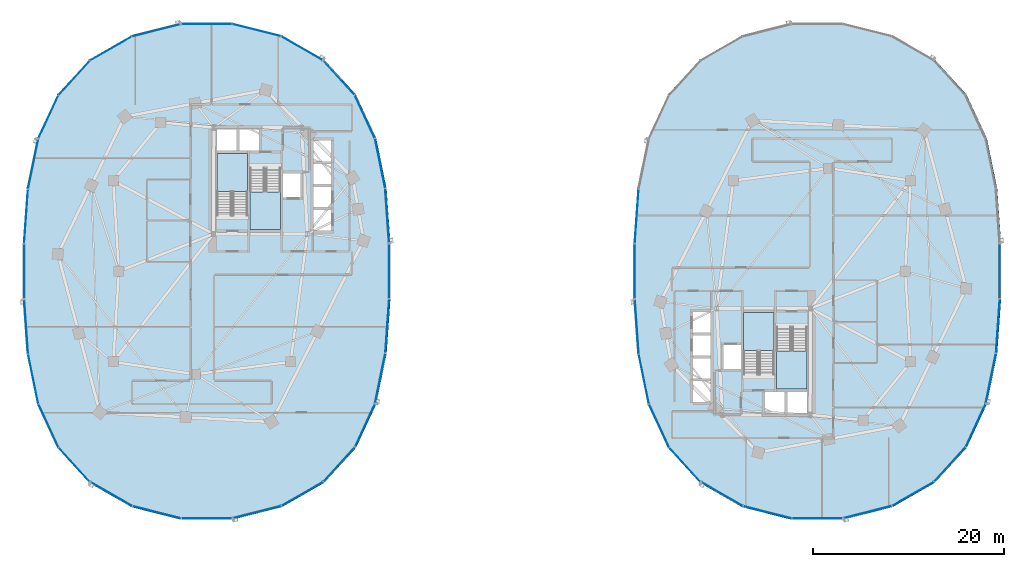
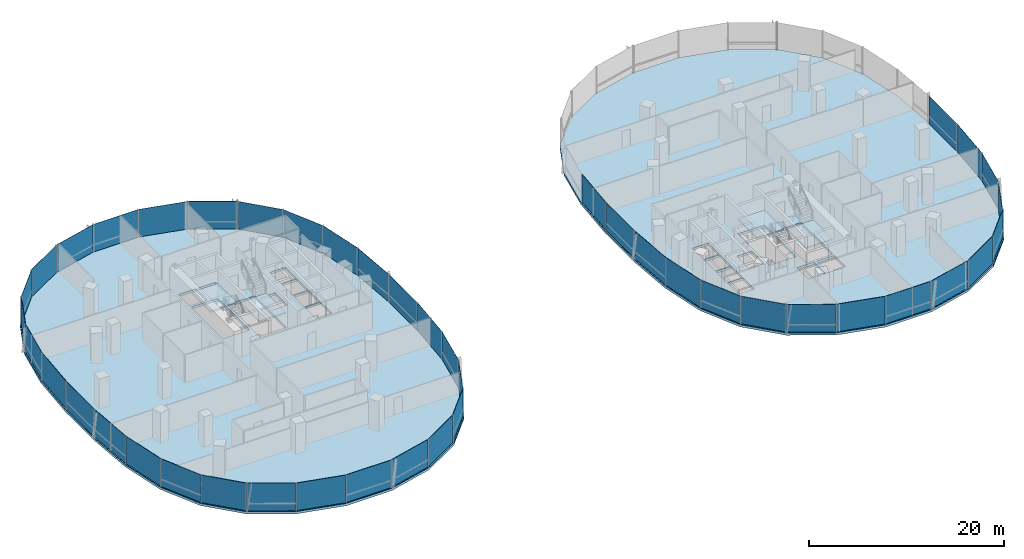
# One storey, part 9 of 21: 44 plates, 6 slabs, 11 elements without a shape of their own.
"""IFC4 building model written with IfcOpenShell, lengths in metres."""

from ifc_helpers import new_model, si_unit, direction, frame, origin, origin_2d, place, context, subcontext, project, spatial, polyline, rectangle, outline, extrude, material, layer, layer_set, type_object, element, aggregate, save


model = new_model("IFC4")

# Units and contexts
model_context = context("Model", 3, precision=1e-05, world=origin(), true_north=direction((0.0, 1.0)))
body_context = subcontext(model_context, "Body", "Model", "MODEL_VIEW")
ifc_project = project(units=[si_unit("LENGTHUNIT", "METRE"), si_unit("AREAUNIT", "SQUARE_METRE"), si_unit("VOLUMEUNIT", "CUBIC_METRE"), si_unit("PLANEANGLEUNIT", "RADIAN"), si_unit("MASSUNIT", "GRAM", prefix="KILO"), si_unit("THERMODYNAMICTEMPERATUREUNIT", "KELVIN"), si_unit("POWERUNIT", "WATT")], contexts=[model_context])

# Site, building, storey
site_placement = place(None, origin())
site = spatial("IfcSite", under=ifc_project, at=site_placement, CompositionType="ELEMENT")
building_placement = place(site_placement, origin())
building = spatial("IfcBuilding", under=site, at=building_placement, Name="Cundina Bronze Exchange", CompositionType="ELEMENT")
storey_placement = place(building_placement, frame((0.0, 0.0, 62.0)))
storey = spatial("IfcBuildingStorey", under=building, at=storey_placement, Name="L15", CompositionType="ELEMENT", Elevation=62.0)

# Curtain wall, plates
ifc_material_1 = material(Name="Anodised Bronze Aluminium 6063-T6", Category="aluminium")
curtain_wall_type = type_object("IfcCurtainWallType", Name="CWS-TRD-LOW", PredefinedType="NOTDEFINED", material=ifc_material_1)
curtain_wall_1_placement = place(storey_placement, origin())
curtain_wall_1 = element("IfcCurtainWall", 1, at=curtain_wall_1_placement, inside=storey, type_object=curtain_wall_type, Name="L15 CW-02 Curtain Wall Run CWR-L15-W1", PredefinedType="NOTDEFINED")
ifc_material_2 = material(Name="Heat-Strengthened Solar-Control Bronze Safety Glass 28mm", Category="glass")
ifc_layer_1 = layer(ifc_material_2, 0.028076171875, Name="Heat-Strengthened Solar-Control Bronze Safety Glass 28mm", Category="glass")
ifc_layer_set_1 = layer_set([ifc_layer_1], Name="Heat-Strengthened Solar-Control Bronze Safety Glass 28mm")
plate_type_1 = type_object("IfcPlateType", Name="PLT-GLZ-VIS28", PredefinedType="CURTAIN_PANEL", material=ifc_layer_set_1)
plate_1_placement = place(storey_placement, frame((-13.0732421875, 5.783935546875, 0.02001953125), z_axis=(0.0, 0.0, 1.0), x_axis=(-0.070278787473, 0.997527389113, 0.0)))
plate_1 = element("IfcPlate", 2, at=plate_1_placement, type_object=plate_type_1, Name="CW-02 Glazed Panel 1", PredefinedType="CURTAIN_PANEL", context=body_context, shape_type="SweptSolid", body=[
    extrude(rectangle(XDim=5.644287109375, YDim=0.028076171875, at=origin_2d()), origin(), (0.0, 0.0, 1.0), 3.4599609375),
])
plate_2_placement = place(storey_placement, frame((-13.81591796875, 11.269775390625, 0.02001953125), z_axis=(0.0, 0.0, 1.0), x_axis=(-0.201419845156, 0.979505000486, 0.0)))
plate_2 = element("IfcPlate", 3, at=plate_2_placement, type_object=plate_type_1, Name="CW-02 Glazed Panel 2", PredefinedType="CURTAIN_PANEL", context=body_context, shape_type="SweptSolid", body=[
    extrude(rectangle(XDim=5.306640625, YDim=0.028076171875, at=origin_2d()), origin(), (0.0, 0.0, 1.0), 3.4599609375),
])
plate_3_placement = place(storey_placement, frame((-15.413818359375, 16.177734375, 0.02001953125), z_axis=(0.0, 0.0, 1.0), x_axis=(-0.42084583328, 0.907132175932, 0.0)))
plate_3 = element("IfcPlate", 4, at=plate_3_placement, type_object=plate_type_1, Name="CW-02 Glazed Panel 3", PredefinedType="CURTAIN_PANEL", context=body_context, shape_type="SweptSolid", body=[
    extrude(rectangle(XDim=4.966552734375, YDim=0.028076171875, at=origin_2d()), origin(), (0.0, 0.0, 1.0), 3.4599609375),
])
plate_4_placement = place(storey_placement, frame((-18.1259765625, 20.267333984375, 0.02001953125), z_axis=(0.0, 0.0, 1.0), x_axis=(-0.674276610219, 0.73847887777, 0.0)))
plate_4 = element("IfcPlate", 5, at=plate_4_placement, type_object=plate_type_1, Name="CW-02 Glazed Panel 4", PredefinedType="CURTAIN_PANEL", context=body_context, shape_type="SweptSolid", body=[
    extrude(rectangle(XDim=4.86328125, YDim=0.028076171875, at=origin_2d()), origin(), (0.0, 0.0, 1.0), 3.4599609375),
])
plate_5_placement = place(storey_placement, frame((-26.744384765625, 25.256591796875, 0.02001953125), z_axis=(0.0, 0.0, 1.0), x_axis=(-0.969488149345, 0.245138182011, 0.0)))
plate_5 = element("IfcPlate", 6, at=plate_5_placement, type_object=plate_type_1, Name="CW-02 Glazed Panel 6", PredefinedType="CURTAIN_PANEL", context=body_context, shape_type="SweptSolid", body=[
    extrude(rectangle(XDim=5.2333984375, YDim=0.028076171875, at=origin_2d()), origin(), (0.0, 0.0, 1.0), 3.4599609375),
])
plate_6_placement = place(storey_placement, frame((-32.0, 25.905029296875, 0.02001953125), z_axis=(0.0, 0.0, 1.0), x_axis=(-1.0, 0.0, 0.0)))
plate_6 = element("IfcPlate", 7, at=plate_6_placement, type_object=plate_type_1, Name="CW-02 Glazed Panel 7", PredefinedType="CURTAIN_PANEL", context=body_context, shape_type="SweptSolid", body=[
    extrude(rectangle(XDim=5.323974609375, YDim=0.028076171875, at=origin_2d()), origin(), (0.0, 0.0, 1.0), 3.4599609375),
])

curtain_wall_2_placement = place(storey_placement, origin())
curtain_wall_2 = element("IfcCurtainWall", 8, at=curtain_wall_2_placement, inside=storey, type_object=curtain_wall_type, Name="L15 CW-02 Curtain Wall Run CWR-L15-W2", PredefinedType="NOTDEFINED")
plate_7_placement = place(storey_placement, frame((-37.255615234375, 25.256591796875, 0.02001953125), z_axis=(0.0, 0.0, 1.0), x_axis=(-0.969488149345, -0.245138182011, 0.0)))
plate_7 = element("IfcPlate", 9, at=plate_7_placement, type_object=plate_type_1, Name="CW-02 Glazed Panel 1", PredefinedType="CURTAIN_PANEL", context=body_context, shape_type="SweptSolid", body=[
    extrude(rectangle(XDim=5.2333984375, YDim=0.028076171875, at=origin_2d()), origin(), (0.0, 0.0, 1.0), 3.4599609375),
])
plate_8_placement = place(storey_placement, frame((-42.019287109375, 23.34423828125, 0.02001953125), z_axis=(0.0, 0.0, 1.0), x_axis=(-0.867105478933, -0.498124571171, 0.0)))
plate_8 = element("IfcPlate", 10, at=plate_8_placement, type_object=plate_type_1, Name="CW-02 Glazed Panel 2", PredefinedType="CURTAIN_PANEL", context=body_context, shape_type="SweptSolid", body=[
    extrude(rectangle(XDim=5.021240234375, YDim=0.028076171875, at=origin_2d()), origin(), (0.0, 0.0, 1.0), 3.4599609375),
])
plate_9_placement = place(storey_placement, frame((-45.8740234375, 20.267333984375, 0.02001953125), z_axis=(0.0, 0.0, 1.0), x_axis=(-0.674276610219, -0.73847887777, 0.0)))
plate_9 = element("IfcPlate", 11, at=plate_9_placement, type_object=plate_type_1, Name="CW-02 Glazed Panel 3", PredefinedType="CURTAIN_PANEL", context=body_context, shape_type="SweptSolid", body=[
    extrude(rectangle(XDim=4.86328125, YDim=0.028076171875, at=origin_2d()), origin(), (0.0, 0.0, 1.0), 3.4599609375),
])
plate_10_placement = place(storey_placement, frame((-50.18408203125, 11.269775390625, 0.02001953125), z_axis=(0.0, 0.0, 1.0), x_axis=(-0.201419845156, -0.979505000486, 0.0)))
plate_10 = element("IfcPlate", 12, at=plate_10_placement, type_object=plate_type_1, Name="CW-02 Glazed Panel 5", PredefinedType="CURTAIN_PANEL", context=body_context, shape_type="SweptSolid", body=[
    extrude(rectangle(XDim=5.306640625, YDim=0.028076171875, at=origin_2d()), origin(), (0.0, 0.0, 1.0), 3.4599609375),
])
plate_11_placement = place(storey_placement, frame((-50.9267578125, 5.783935546875, 0.02001953125), z_axis=(0.0, 0.0, 1.0), x_axis=(-0.070278787473, -0.997527389113, 0.0)))
plate_11 = element("IfcPlate", 13, at=plate_11_placement, type_object=plate_type_1, Name="CW-02 Glazed Panel 6", PredefinedType="CURTAIN_PANEL", context=body_context, shape_type="SweptSolid", body=[
    extrude(rectangle(XDim=5.644287109375, YDim=0.028076171875, at=origin_2d()), origin(), (0.0, 0.0, 1.0), 3.4599609375),
])
plate_12_placement = place(storey_placement, frame((-51.1279296875, 0.0, 0.02001953125), z_axis=(0.0, 0.0, 1.0), x_axis=(0.0, -1.0, 0.0)))
plate_12 = element("IfcPlate", 14, at=plate_12_placement, type_object=plate_type_1, Name="CW-02 Glazed Panel 7", PredefinedType="CURTAIN_PANEL", context=body_context, shape_type="SweptSolid", body=[
    extrude(rectangle(XDim=5.77587890625, YDim=0.028076171875, at=origin_2d()), origin(), (0.0, 0.0, 1.0), 3.4599609375),
])

curtain_wall_3_placement = place(storey_placement, origin())
curtain_wall_3 = element("IfcCurtainWall", 15, at=curtain_wall_3_placement, inside=storey, type_object=curtain_wall_type, Name="L15 CW-02 Curtain Wall Run CWR-L15-W3", PredefinedType="NOTDEFINED")
plate_13_placement = place(storey_placement, frame((-50.9267578125, -5.783935546875, 0.02001953125), z_axis=(0.0, 0.0, 1.0), x_axis=(0.070278787473, -0.997527389113, 0.0)))
plate_13 = element("IfcPlate", 16, at=plate_13_placement, type_object=plate_type_1, Name="CW-02 Glazed Panel 1", PredefinedType="CURTAIN_PANEL", context=body_context, shape_type="SweptSolid", body=[
    extrude(rectangle(XDim=5.644287109375, YDim=0.028076171875, at=origin_2d()), origin(), (0.0, 0.0, 1.0), 3.4599609375),
])
plate_14_placement = place(storey_placement, frame((-50.18408203125, -11.269775390625, 0.02001953125), z_axis=(0.0, 0.0, 1.0), x_axis=(0.201419845156, -0.979505000486, 0.0)))
plate_14 = element("IfcPlate", 17, at=plate_14_placement, type_object=plate_type_1, Name="CW-02 Glazed Panel 2", PredefinedType="CURTAIN_PANEL", context=body_context, shape_type="SweptSolid", body=[
    extrude(rectangle(XDim=5.306640625, YDim=0.028076171875, at=origin_2d()), origin(), (0.0, 0.0, 1.0), 3.4599609375),
])
plate_15_placement = place(storey_placement, frame((-45.8740234375, -20.267333984375, 0.02001953125), z_axis=(0.0, 0.0, 1.0), x_axis=(0.674276610219, -0.73847887777, 0.0)))
plate_15 = element("IfcPlate", 18, at=plate_15_placement, type_object=plate_type_1, Name="CW-02 Glazed Panel 4", PredefinedType="CURTAIN_PANEL", context=body_context, shape_type="SweptSolid", body=[
    extrude(rectangle(XDim=4.86328125, YDim=0.028076171875, at=origin_2d()), origin(), (0.0, 0.0, 1.0), 3.4599609375),
])
plate_16_placement = place(storey_placement, frame((-42.019287109375, -23.34423828125, 0.02001953125), z_axis=(0.0, 0.0, 1.0), x_axis=(0.867105478933, -0.498124571171, 0.0)))
plate_16 = element("IfcPlate", 19, at=plate_16_placement, type_object=plate_type_1, Name="CW-02 Glazed Panel 5", PredefinedType="CURTAIN_PANEL", context=body_context, shape_type="SweptSolid", body=[
    extrude(rectangle(XDim=5.021240234375, YDim=0.028076171875, at=origin_2d()), origin(), (0.0, 0.0, 1.0), 3.4599609375),
])
plate_17_placement = place(storey_placement, frame((-37.255615234375, -25.256591796875, 0.02001953125), z_axis=(0.0, 0.0, 1.0), x_axis=(0.969488149345, -0.245138182011, 0.0)))
plate_17 = element("IfcPlate", 20, at=plate_17_placement, type_object=plate_type_1, Name="CW-02 Glazed Panel 6", PredefinedType="CURTAIN_PANEL", context=body_context, shape_type="SweptSolid", body=[
    extrude(rectangle(XDim=5.2333984375, YDim=0.028076171875, at=origin_2d()), origin(), (0.0, 0.0, 1.0), 3.4599609375),
])
plate_18_placement = place(storey_placement, frame((-32.0, -25.905029296875, 0.02001953125), z_axis=(0.0, 0.0, 1.0), x_axis=(1.0, 0.0, 0.0)))
plate_18 = element("IfcPlate", 21, at=plate_18_placement, type_object=plate_type_1, Name="CW-02 Glazed Panel 7", PredefinedType="CURTAIN_PANEL", context=body_context, shape_type="SweptSolid", body=[
    extrude(rectangle(XDim=5.323974609375, YDim=0.028076171875, at=origin_2d()), origin(), (0.0, 0.0, 1.0), 3.4599609375),
])

curtain_wall_4_placement = place(storey_placement, origin())
curtain_wall_4 = element("IfcCurtainWall", 22, at=curtain_wall_4_placement, inside=storey, type_object=curtain_wall_type, Name="L15 CW-02 Curtain Wall Run CWR-L15-W4", PredefinedType="NOTDEFINED")
plate_19_placement = place(storey_placement, frame((-26.744384765625, -25.256591796875, 0.02001953125), z_axis=(0.0, 0.0, 1.0), x_axis=(0.969488149345, 0.245138182011, 0.0)))
plate_19 = element("IfcPlate", 23, at=plate_19_placement, type_object=plate_type_1, Name="CW-02 Glazed Panel 1", PredefinedType="CURTAIN_PANEL", context=body_context, shape_type="SweptSolid", body=[
    extrude(rectangle(XDim=5.2333984375, YDim=0.028076171875, at=origin_2d()), origin(), (0.0, 0.0, 1.0), 3.4599609375),
])
plate_20_placement = place(storey_placement, frame((-18.1259765625, -20.267333984375, 0.02001953125), z_axis=(0.0, 0.0, 1.0), x_axis=(0.674276610219, 0.73847887777, 0.0)))
plate_20 = element("IfcPlate", 24, at=plate_20_placement, type_object=plate_type_1, Name="CW-02 Glazed Panel 3", PredefinedType="CURTAIN_PANEL", context=body_context, shape_type="SweptSolid", body=[
    extrude(rectangle(XDim=4.86328125, YDim=0.028076171875, at=origin_2d()), origin(), (0.0, 0.0, 1.0), 3.4599609375),
])
plate_21_placement = place(storey_placement, frame((-15.413818359375, -16.177734375, 0.02001953125), z_axis=(0.0, 0.0, 1.0), x_axis=(0.42084583328, 0.907132175932, 0.0)))
plate_21 = element("IfcPlate", 25, at=plate_21_placement, type_object=plate_type_1, Name="CW-02 Glazed Panel 4", PredefinedType="CURTAIN_PANEL", context=body_context, shape_type="SweptSolid", body=[
    extrude(rectangle(XDim=4.966552734375, YDim=0.028076171875, at=origin_2d()), origin(), (0.0, 0.0, 1.0), 3.4599609375),
])
plate_22_placement = place(storey_placement, frame((-13.81591796875, -11.269775390625, 0.02001953125), z_axis=(0.0, 0.0, 1.0), x_axis=(0.201419845156, 0.979505000486, 0.0)))
plate_22 = element("IfcPlate", 26, at=plate_22_placement, type_object=plate_type_1, Name="CW-02 Glazed Panel 5", PredefinedType="CURTAIN_PANEL", context=body_context, shape_type="SweptSolid", body=[
    extrude(rectangle(XDim=5.306640625, YDim=0.028076171875, at=origin_2d()), origin(), (0.0, 0.0, 1.0), 3.4599609375),
])
plate_23_placement = place(storey_placement, frame((-13.0732421875, -5.783935546875, 0.02001953125), z_axis=(0.0, 0.0, 1.0), x_axis=(0.070278787473, 0.997527389113, 0.0)))
plate_23 = element("IfcPlate", 27, at=plate_23_placement, type_object=plate_type_1, Name="CW-02 Glazed Panel 6", PredefinedType="CURTAIN_PANEL", context=body_context, shape_type="SweptSolid", body=[
    extrude(rectangle(XDim=5.644287109375, YDim=0.028076171875, at=origin_2d()), origin(), (0.0, 0.0, 1.0), 3.4599609375),
])

curtain_wall_5_placement = place(storey_placement, origin())
curtain_wall_5 = element("IfcCurtainWall", 28, at=curtain_wall_5_placement, inside=storey, type_object=curtain_wall_type, Name="L15 CW-02 Curtain Wall Run CWR-L15-E2", PredefinedType="NOTDEFINED")
plate_24_placement = place(storey_placement, frame((13.0732421875, 5.783935546875, 0.02001953125), z_axis=(0.0, 0.0, 1.0), x_axis=(-0.070278787473, -0.997527389113, 0.0)))
plate_24 = element("IfcPlate", 29, at=plate_24_placement, type_object=plate_type_1, Name="CW-02 Glazed Panel 6", PredefinedType="CURTAIN_PANEL", context=body_context, shape_type="SweptSolid", body=[
    extrude(rectangle(XDim=5.644287109375, YDim=0.028076171875, at=origin_2d()), origin(), (0.0, 0.0, 1.0), 3.4599609375),
])
plate_25_placement = place(storey_placement, frame((12.8720703125, 0.0, 0.02001953125), z_axis=(0.0, 0.0, 1.0), x_axis=(0.0, -1.0, 0.0)))
plate_25 = element("IfcPlate", 30, at=plate_25_placement, type_object=plate_type_1, Name="CW-02 Glazed Panel 7", PredefinedType="CURTAIN_PANEL", context=body_context, shape_type="SweptSolid", body=[
    extrude(rectangle(XDim=5.77587890625, YDim=0.028076171875, at=origin_2d()), origin(), (0.0, 0.0, 1.0), 3.4599609375),
])
aggregate(curtain_wall_5, [plate_24, plate_25])

curtain_wall_6_placement = place(storey_placement, origin())
curtain_wall_6 = element("IfcCurtainWall", 31, at=curtain_wall_6_placement, inside=storey, type_object=curtain_wall_type, Name="L15 CW-02 Curtain Wall Run CWR-L15-E3", PredefinedType="NOTDEFINED")
plate_26_placement = place(storey_placement, frame((13.0732421875, -5.783935546875, 0.02001953125), z_axis=(0.0, 0.0, 1.0), x_axis=(0.070278787473, -0.997527389113, 0.0)))
plate_26 = element("IfcPlate", 32, at=plate_26_placement, type_object=plate_type_1, Name="CW-02 Glazed Panel 1", PredefinedType="CURTAIN_PANEL", context=body_context, shape_type="SweptSolid", body=[
    extrude(rectangle(XDim=5.644287109375, YDim=0.028076171875, at=origin_2d()), origin(), (0.0, 0.0, 1.0), 3.4599609375),
])
plate_27_placement = place(storey_placement, frame((13.81591796875, -11.269775390625, 0.02001953125), z_axis=(0.0, 0.0, 1.0), x_axis=(0.201419845156, -0.979505000486, 0.0)))
plate_27 = element("IfcPlate", 33, at=plate_27_placement, type_object=plate_type_1, Name="CW-02 Glazed Panel 2", PredefinedType="CURTAIN_PANEL", context=body_context, shape_type="SweptSolid", body=[
    extrude(rectangle(XDim=5.306640625, YDim=0.028076171875, at=origin_2d()), origin(), (0.0, 0.0, 1.0), 3.4599609375),
])
plate_28_placement = place(storey_placement, frame((18.1259765625, -20.267333984375, 0.02001953125), z_axis=(0.0, 0.0, 1.0), x_axis=(0.674276610219, -0.73847887777, 0.0)))
plate_28 = element("IfcPlate", 34, at=plate_28_placement, type_object=plate_type_1, Name="CW-02 Glazed Panel 4", PredefinedType="CURTAIN_PANEL", context=body_context, shape_type="SweptSolid", body=[
    extrude(rectangle(XDim=4.86328125, YDim=0.028076171875, at=origin_2d()), origin(), (0.0, 0.0, 1.0), 3.4599609375),
])
plate_29_placement = place(storey_placement, frame((21.980712890625, -23.34423828125, 0.02001953125), z_axis=(0.0, 0.0, 1.0), x_axis=(0.867105478933, -0.498124571171, 0.0)))
plate_29 = element("IfcPlate", 35, at=plate_29_placement, type_object=plate_type_1, Name="CW-02 Glazed Panel 5", PredefinedType="CURTAIN_PANEL", context=body_context, shape_type="SweptSolid", body=[
    extrude(rectangle(XDim=5.021240234375, YDim=0.028076171875, at=origin_2d()), origin(), (0.0, 0.0, 1.0), 3.4599609375),
])
plate_30_placement = place(storey_placement, frame((26.744384765625, -25.256591796875, 0.02001953125), z_axis=(0.0, 0.0, 1.0), x_axis=(0.969488149345, -0.245138182011, 0.0)))
plate_30 = element("IfcPlate", 36, at=plate_30_placement, type_object=plate_type_1, Name="CW-02 Glazed Panel 6", PredefinedType="CURTAIN_PANEL", context=body_context, shape_type="SweptSolid", body=[
    extrude(rectangle(XDim=5.2333984375, YDim=0.028076171875, at=origin_2d()), origin(), (0.0, 0.0, 1.0), 3.4599609375),
])
plate_31_placement = place(storey_placement, frame((32.0, -25.905029296875, 0.02001953125), z_axis=(0.0, 0.0, 1.0), x_axis=(1.0, 0.0, 0.0)))
plate_31 = element("IfcPlate", 37, at=plate_31_placement, type_object=plate_type_1, Name="CW-02 Glazed Panel 7", PredefinedType="CURTAIN_PANEL", context=body_context, shape_type="SweptSolid", body=[
    extrude(rectangle(XDim=5.323974609375, YDim=0.028076171875, at=origin_2d()), origin(), (0.0, 0.0, 1.0), 3.4599609375),
])

curtain_wall_7_placement = place(storey_placement, origin())
curtain_wall_7 = element("IfcCurtainWall", 38, at=curtain_wall_7_placement, inside=storey, type_object=curtain_wall_type, Name="L15 CW-02 Curtain Wall Run CWR-L15-E4", PredefinedType="NOTDEFINED")
plate_32_placement = place(storey_placement, frame((37.255615234375, -25.256591796875, 0.02001953125), z_axis=(0.0, 0.0, 1.0), x_axis=(0.969488149345, 0.245138182011, 0.0)))
plate_32 = element("IfcPlate", 39, at=plate_32_placement, type_object=plate_type_1, Name="CW-02 Glazed Panel 1", PredefinedType="CURTAIN_PANEL", context=body_context, shape_type="SweptSolid", body=[
    extrude(rectangle(XDim=5.2333984375, YDim=0.028076171875, at=origin_2d()), origin(), (0.0, 0.0, 1.0), 3.4599609375),
])
plate_33_placement = place(storey_placement, frame((45.8740234375, -20.267333984375, 0.02001953125), z_axis=(0.0, 0.0, 1.0), x_axis=(0.674276610219, 0.73847887777, 0.0)))
plate_33 = element("IfcPlate", 40, at=plate_33_placement, type_object=plate_type_1, Name="CW-02 Glazed Panel 3", PredefinedType="CURTAIN_PANEL", context=body_context, shape_type="SweptSolid", body=[
    extrude(rectangle(XDim=4.86328125, YDim=0.028076171875, at=origin_2d()), origin(), (0.0, 0.0, 1.0), 3.4599609375),
])
plate_34_placement = place(storey_placement, frame((48.586181640625, -16.177734375, 0.02001953125), z_axis=(0.0, 0.0, 1.0), x_axis=(0.42084583328, 0.907132175932, 0.0)))
plate_34 = element("IfcPlate", 41, at=plate_34_placement, type_object=plate_type_1, Name="CW-02 Glazed Panel 4", PredefinedType="CURTAIN_PANEL", context=body_context, shape_type="SweptSolid", body=[
    extrude(rectangle(XDim=4.966552734375, YDim=0.028076171875, at=origin_2d()), origin(), (0.0, 0.0, 1.0), 3.4599609375),
])
plate_35_placement = place(storey_placement, frame((50.18408203125, -11.269775390625, 0.02001953125), z_axis=(0.0, 0.0, 1.0), x_axis=(0.201419845156, 0.979505000486, 0.0)))
plate_35 = element("IfcPlate", 42, at=plate_35_placement, type_object=plate_type_1, Name="CW-02 Glazed Panel 5", PredefinedType="CURTAIN_PANEL", context=body_context, shape_type="SweptSolid", body=[
    extrude(rectangle(XDim=5.306640625, YDim=0.028076171875, at=origin_2d()), origin(), (0.0, 0.0, 1.0), 3.4599609375),
])
plate_36_placement = place(storey_placement, frame((50.9267578125, -5.783935546875, 0.02001953125), z_axis=(0.0, 0.0, 1.0), x_axis=(0.070278787473, 0.997527389113, 0.0)))
plate_36 = element("IfcPlate", 43, at=plate_36_placement, type_object=plate_type_1, Name="CW-02 Glazed Panel 6", PredefinedType="CURTAIN_PANEL", context=body_context, shape_type="SweptSolid", body=[
    extrude(rectangle(XDim=5.644287109375, YDim=0.028076171875, at=origin_2d()), origin(), (0.0, 0.0, 1.0), 3.4599609375),
])

# Plate
ifc_material_3 = material(Name="Dark Bronze Spandrel Glass Panel 32mm", Category="glass")
ifc_layer_2 = layer(ifc_material_3, 0.031982421875, Name="Dark Bronze Spandrel Glass Panel 32mm", Category="glass")
ifc_layer_set_2 = layer_set([ifc_layer_2], Name="Dark Bronze Spandrel Glass Panel 32mm")
plate_type_2 = type_object("IfcPlateType", Name="PLT-SPN-BRZ32", PredefinedType="CURTAIN_PANEL", material=ifc_layer_set_2)
plate_37_placement = place(storey_placement, frame((-21.980712890625, 23.34423828125, 0.02001953125), z_axis=(0.0, 0.0, 1.0), x_axis=(-0.867105478933, 0.498124571171, 0.0)))
plate_37 = element("IfcPlate", 44, at=plate_37_placement, type_object=plate_type_2, Name="CW-02 Glazed Panel 5", PredefinedType="CURTAIN_PANEL", context=body_context, shape_type="SweptSolid", body=[
    extrude(rectangle(XDim=5.021240234375, YDim=0.031982421875, at=origin_2d()), origin(), (0.0, 0.0, 1.0), 3.4599609375),
])

aggregate(curtain_wall_1, [plate_1, plate_2, plate_3, plate_4, plate_37, plate_5, plate_6])

plate_38_placement = place(storey_placement, frame((-48.586181640625, 16.177734375, 0.02001953125), z_axis=(0.0, 0.0, 1.0), x_axis=(-0.42084583328, -0.907132175932, 0.0)))
plate_38 = element("IfcPlate", 45, at=plate_38_placement, type_object=plate_type_2, Name="CW-02 Glazed Panel 4", PredefinedType="CURTAIN_PANEL", context=body_context, shape_type="SweptSolid", body=[
    extrude(rectangle(XDim=4.966552734375, YDim=0.031982421875, at=origin_2d()), origin(), (0.0, 0.0, 1.0), 3.4599609375),
])

aggregate(curtain_wall_2, [plate_7, plate_8, plate_9, plate_38, plate_10, plate_11, plate_12])

plate_39_placement = place(storey_placement, frame((-48.586181640625, -16.177734375, 0.02001953125), z_axis=(0.0, 0.0, 1.0), x_axis=(0.42084583328, -0.907132175932, 0.0)))
plate_39 = element("IfcPlate", 46, at=plate_39_placement, type_object=plate_type_2, Name="CW-02 Glazed Panel 3", PredefinedType="CURTAIN_PANEL", context=body_context, shape_type="SweptSolid", body=[
    extrude(rectangle(XDim=4.966552734375, YDim=0.031982421875, at=origin_2d()), origin(), (0.0, 0.0, 1.0), 3.4599609375),
])

aggregate(curtain_wall_3, [plate_13, plate_14, plate_39, plate_15, plate_16, plate_17, plate_18])

plate_40_placement = place(storey_placement, frame((-21.980712890625, -23.34423828125, 0.02001953125), z_axis=(0.0, 0.0, 1.0), x_axis=(0.867105478933, 0.498124571171, 0.0)))
plate_40 = element("IfcPlate", 47, at=plate_40_placement, type_object=plate_type_2, Name="CW-02 Glazed Panel 2", PredefinedType="CURTAIN_PANEL", context=body_context, shape_type="SweptSolid", body=[
    extrude(rectangle(XDim=5.021240234375, YDim=0.031982421875, at=origin_2d()), origin(), (0.0, 0.0, 1.0), 3.4599609375),
])

plate_41_placement = place(storey_placement, frame((-12.8720703125, 0.0, 0.02001953125), z_axis=(0.0, 0.0, 1.0), x_axis=(0.0, 1.0, 0.0)))
plate_41 = element("IfcPlate", 48, at=plate_41_placement, type_object=plate_type_2, Name="CW-02 Glazed Panel 7", PredefinedType="CURTAIN_PANEL", context=body_context, shape_type="SweptSolid", body=[
    extrude(rectangle(XDim=5.77587890625, YDim=0.031982421875, at=origin_2d()), origin(), (0.0, 0.0, 1.0), 3.4599609375),
])

aggregate(curtain_wall_4, [plate_19, plate_40, plate_20, plate_21, plate_22, plate_23, plate_41])

plate_42_placement = place(storey_placement, frame((15.413818359375, -16.177734375, 0.02001953125), z_axis=(0.0, 0.0, 1.0), x_axis=(0.42084583328, -0.907132175932, 0.0)))
plate_42 = element("IfcPlate", 49, at=plate_42_placement, type_object=plate_type_2, Name="CW-02 Glazed Panel 3", PredefinedType="CURTAIN_PANEL", context=body_context, shape_type="SweptSolid", body=[
    extrude(rectangle(XDim=4.966552734375, YDim=0.031982421875, at=origin_2d()), origin(), (0.0, 0.0, 1.0), 3.4599609375),
])

aggregate(curtain_wall_6, [plate_26, plate_27, plate_42, plate_28, plate_29, plate_30, plate_31])

plate_43_placement = place(storey_placement, frame((42.019287109375, -23.34423828125, 0.02001953125), z_axis=(0.0, 0.0, 1.0), x_axis=(0.867105478933, 0.498124571171, 0.0)))
plate_43 = element("IfcPlate", 50, at=plate_43_placement, type_object=plate_type_2, Name="CW-02 Glazed Panel 2", PredefinedType="CURTAIN_PANEL", context=body_context, shape_type="SweptSolid", body=[
    extrude(rectangle(XDim=5.021240234375, YDim=0.031982421875, at=origin_2d()), origin(), (0.0, 0.0, 1.0), 3.4599609375),
])

plate_44_placement = place(storey_placement, frame((51.1279296875, 0.0, 0.02001953125), z_axis=(0.0, 0.0, 1.0), x_axis=(0.0, 1.0, 0.0)))
plate_44 = element("IfcPlate", 51, at=plate_44_placement, type_object=plate_type_2, Name="CW-02 Glazed Panel 7", PredefinedType="CURTAIN_PANEL", context=body_context, shape_type="SweptSolid", body=[
    extrude(rectangle(XDim=5.77587890625, YDim=0.031982421875, at=origin_2d()), origin(), (0.0, 0.0, 1.0), 3.4599609375),
])

aggregate(curtain_wall_7, [plate_32, plate_43, plate_33, plate_34, plate_35, plate_36, plate_44])

# Stair, slab
ifc_material_4 = material(Name="Concrete C40/50", Category="concrete")
stair_type = type_object("IfcStairType", Name="STR-TRD-380", PredefinedType="HALF_TURN_STAIR", material=ifc_material_4)
stair_1_placement = place(storey_placement, origin())
stair_1 = element("IfcStair", 52, at=stair_1_placement, inside=storey, type_object=stair_type, Name="L15 Smokeproof Exit Stair W1", PredefinedType="HALF_TURN_STAIR")
ifc_layer_3 = layer(ifc_material_4, 0.199951171875, Name="Concrete C40/50", Category="concrete")
ifc_layer_set_3 = layer_set([ifc_layer_3], Name="Concrete C40/50")
slab_type_1 = type_object("IfcSlabType", Name="SLB-LND-200", PredefinedType="LANDING", material=ifc_layer_set_3)
slab_1_placement = place(storey_placement, frame((0.0, 0.0, 1.699951171875)))
slab_1 = element("IfcSlab", 53, at=slab_1_placement, type_object=slab_type_1, Name="ST-W1 landing 1", PredefinedType="LANDING", context=body_context, shape_type="SweptSolid", body=[
    extrude(outline(polyline([(-27.739990234375, 8.3701171875), (-27.739990234375, 12.35009765625), (-30.89990234375, 12.35009765625), (-30.89990234375, 8.3701171875), (-27.739990234375, 8.3701171875)])), origin(), (0.0, 0.0, 1.0), 0.199951171875),
])
aggregate(stair_1, [slab_1])

stair_2_placement = place(storey_placement, origin())
stair_2 = element("IfcStair", 54, at=stair_2_placement, inside=storey, type_object=stair_type, Name="L15 Smokeproof Exit Stair W2", PredefinedType="HALF_TURN_STAIR")
slab_2_placement = place(storey_placement, frame((0.0, 0.0, 1.699951171875)))
slab_2 = element("IfcSlab", 55, at=slab_2_placement, type_object=slab_type_1, Name="ST-W2 landing 1", PredefinedType="LANDING", context=body_context, shape_type="SweptSolid", body=[
    extrude(outline(polyline([(-27.43994140625, 8.330078125), (-27.43994140625, 4.35009765625), (-24.280029296875, 4.35009765625), (-24.280029296875, 8.330078125), (-27.43994140625, 8.330078125)])), origin(), (0.0, 0.0, 1.0), 0.199951171875),
])
aggregate(stair_2, [slab_2])

stair_3_placement = place(storey_placement, origin())
stair_3 = element("IfcStair", 56, at=stair_3_placement, inside=storey, type_object=stair_type, Name="L15 Smokeproof Exit Stair E1", PredefinedType="HALF_TURN_STAIR")
slab_3_placement = place(storey_placement, frame((0.0, 0.0, 1.699951171875)))
slab_3 = element("IfcSlab", 57, at=slab_3_placement, type_object=slab_type_1, Name="ST-E1 landing 1", PredefinedType="LANDING", context=body_context, shape_type="SweptSolid", body=[
    extrude(outline(polyline([(27.739990234375, -8.3701171875), (27.739990234375, -12.35009765625), (30.89990234375, -12.35009765625), (30.89990234375, -8.3701171875), (27.739990234375, -8.3701171875)])), origin(), (0.0, 0.0, 1.0), 0.199951171875),
])
aggregate(stair_3, [slab_3])

stair_4_placement = place(storey_placement, origin())
stair_4 = element("IfcStair", 58, at=stair_4_placement, inside=storey, type_object=stair_type, Name="L15 Smokeproof Exit Stair E2", PredefinedType="HALF_TURN_STAIR")
slab_4_placement = place(storey_placement, frame((0.0, 0.0, 1.699951171875)))
slab_4 = element("IfcSlab", 59, at=slab_4_placement, type_object=slab_type_1, Name="ST-E2 landing 1", PredefinedType="LANDING", context=body_context, shape_type="SweptSolid", body=[
    extrude(outline(polyline([(27.43994140625, -8.330078125), (27.43994140625, -4.35009765625), (24.280029296875, -4.35009765625), (24.280029296875, -8.330078125), (27.43994140625, -8.330078125)])), origin(), (0.0, 0.0, 1.0), 0.199951171875),
])
aggregate(stair_4, [slab_4])

# Slabs
ifc_material_5 = material(Name="Concrete C50/60", Category="concrete")
ifc_layer_4 = layer(ifc_material_5, 0.300048828125, Name="Concrete C50/60", Category="concrete")
ifc_layer_set_4 = layer_set([ifc_layer_4], Name="Concrete C50/60")
slab_type_2 = type_object("IfcSlabType", Name="SLB-TRD-300", PredefinedType="FLOOR", material=ifc_layer_set_4)
slab_5_placement = place(storey_placement, frame((0.0, 0.0, -0.300048828125)))
element("IfcSlab", 60, at=slab_5_placement, inside=storey, type_object=slab_type_2, Name="L15 Leg W Structural Floor Slab", PredefinedType="FLOOR", context=body_context, shape_type="SweptSolid", body=[
    extrude(outline(polyline([(-12.741943359375, 2.93310546875), (-13.14501953125, 8.653076171875), (-14.23193359375, 13.93896484375), (-16.360107421875, 18.52587890625), (-19.699951171875, 22.18408203125), (-24.132080078125, 24.72998046875), (-29.29296875, 26.034912109375), (-34.70703125, 26.034912109375), (-39.867919921875, 24.72998046875), (-44.300048828125, 22.18408203125), (-47.639892578125, 18.52587890625), (-49.76806640625, 13.93896484375), (-50.85498046875, 8.653076171875), (-51.258056640625, 2.93310546875), (-51.258056640625, -2.93310546875), (-50.85498046875, -8.653076171875), (-49.76806640625, -13.93896484375), (-47.639892578125, -18.52587890625), (-44.300048828125, -22.18408203125), (-39.867919921875, -24.72998046875), (-34.70703125, -26.034912109375), (-29.29296875, -26.034912109375), (-24.132080078125, -24.72998046875), (-19.699951171875, -22.18408203125), (-16.360107421875, -18.52587890625), (-14.23193359375, -13.93896484375), (-13.14501953125, -8.653076171875), (-12.741943359375, -2.93310546875), (-12.741943359375, 2.93310546875)]), holes=[polyline([(-27.739990234375, 5.85009765625), (-27.739990234375, 12.35009765625), (-30.89990234375, 12.35009765625), (-30.89990234375, 5.85009765625), (-27.739990234375, 5.85009765625)]), polyline([(-27.43994140625, 10.85009765625), (-27.43994140625, 4.35009765625), (-24.280029296875, 4.35009765625), (-24.280029296875, 10.85009765625), (-27.43994140625, 10.85009765625)]), polyline([(-23.97998046875, 10.25), (-22.179931640625, 10.25), (-22.179931640625, 7.75), (-23.97998046875, 7.75), (-23.97998046875, 10.25)]), polyline([(-30.89990234375, 14.949951171875), (-28.85009765625, 14.949951171875), (-28.85009765625, 12.64990234375), (-30.89990234375, 12.64990234375), (-30.89990234375, 14.949951171875)]), polyline([(-28.550048828125, 14.949951171875), (-26.5, 14.949951171875), (-26.5, 12.64990234375), (-28.550048828125, 12.64990234375), (-28.550048828125, 14.949951171875)]), polyline([(-20.800048828125, 13.699951171875), (-18.949951171875, 13.699951171875), (-18.949951171875, 11.449951171875), (-20.800048828125, 11.449951171875), (-20.800048828125, 13.699951171875)]), polyline([(-20.800048828125, 11.300048828125), (-18.949951171875, 11.300048828125), (-18.949951171875, 9.050048828125), (-20.800048828125, 9.050048828125), (-20.800048828125, 11.300048828125)]), polyline([(-20.800048828125, 8.89990234375), (-18.949951171875, 8.89990234375), (-18.949951171875, 6.64990234375), (-20.800048828125, 6.64990234375), (-20.800048828125, 8.89990234375)]), polyline([(-20.800048828125, 6.5), (-18.949951171875, 6.5), (-18.949951171875, 4.25), (-20.800048828125, 4.25), (-20.800048828125, 6.5)])]), origin(), (0.0, 0.0, 1.0), 0.300048828125),
])
slab_6_placement = place(storey_placement, frame((0.0, 0.0, -0.300048828125)))
element("IfcSlab", 61, at=slab_6_placement, inside=storey, type_object=slab_type_2, Name="L15 Leg E Structural Floor Slab", PredefinedType="FLOOR", context=body_context, shape_type="SweptSolid", body=[
    extrude(outline(polyline([(51.258056640625, 2.93310546875), (50.85498046875, 8.653076171875), (49.76806640625, 13.93896484375), (47.639892578125, 18.52587890625), (44.300048828125, 22.18408203125), (39.867919921875, 24.72998046875), (34.70703125, 26.034912109375), (29.29296875, 26.034912109375), (24.132080078125, 24.72998046875), (19.699951171875, 22.18408203125), (16.360107421875, 18.52587890625), (14.23193359375, 13.93896484375), (13.14501953125, 8.653076171875), (12.741943359375, 2.93310546875), (12.741943359375, -2.93310546875), (13.14501953125, -8.653076171875), (14.23193359375, -13.93896484375), (16.360107421875, -18.52587890625), (19.699951171875, -22.18408203125), (24.132080078125, -24.72998046875), (29.29296875, -26.034912109375), (34.70703125, -26.034912109375), (39.867919921875, -24.72998046875), (44.300048828125, -22.18408203125), (47.639892578125, -18.52587890625), (49.76806640625, -13.93896484375), (50.85498046875, -8.653076171875), (51.258056640625, -2.93310546875), (51.258056640625, 2.93310546875)]), holes=[polyline([(27.739990234375, -5.85009765625), (27.739990234375, -12.35009765625), (30.89990234375, -12.35009765625), (30.89990234375, -5.85009765625), (27.739990234375, -5.85009765625)]), polyline([(27.43994140625, -10.85009765625), (27.43994140625, -4.35009765625), (24.280029296875, -4.35009765625), (24.280029296875, -10.85009765625), (27.43994140625, -10.85009765625)]), polyline([(22.179931640625, -7.75), (23.97998046875, -7.75), (23.97998046875, -10.25), (22.179931640625, -10.25), (22.179931640625, -7.75)]), polyline([(28.85009765625, -12.64990234375), (30.89990234375, -12.64990234375), (30.89990234375, -14.949951171875), (28.85009765625, -14.949951171875), (28.85009765625, -12.64990234375)]), polyline([(26.5, -12.64990234375), (28.550048828125, -12.64990234375), (28.550048828125, -14.949951171875), (26.5, -14.949951171875), (26.5, -12.64990234375)]), polyline([(18.949951171875, -11.449951171875), (20.800048828125, -11.449951171875), (20.800048828125, -13.699951171875), (18.949951171875, -13.699951171875), (18.949951171875, -11.449951171875)]), polyline([(18.949951171875, -9.050048828125), (20.800048828125, -9.050048828125), (20.800048828125, -11.300048828125), (18.949951171875, -11.300048828125), (18.949951171875, -9.050048828125)]), polyline([(18.949951171875, -6.64990234375), (20.800048828125, -6.64990234375), (20.800048828125, -8.89990234375), (18.949951171875, -8.89990234375), (18.949951171875, -6.64990234375)]), polyline([(18.949951171875, -4.25), (20.800048828125, -4.25), (20.800048828125, -6.5), (18.949951171875, -6.5), (18.949951171875, -4.25)])]), origin(), (0.0, 0.0, 1.0), 0.300048828125),
])

save(model, "model.ifc")
